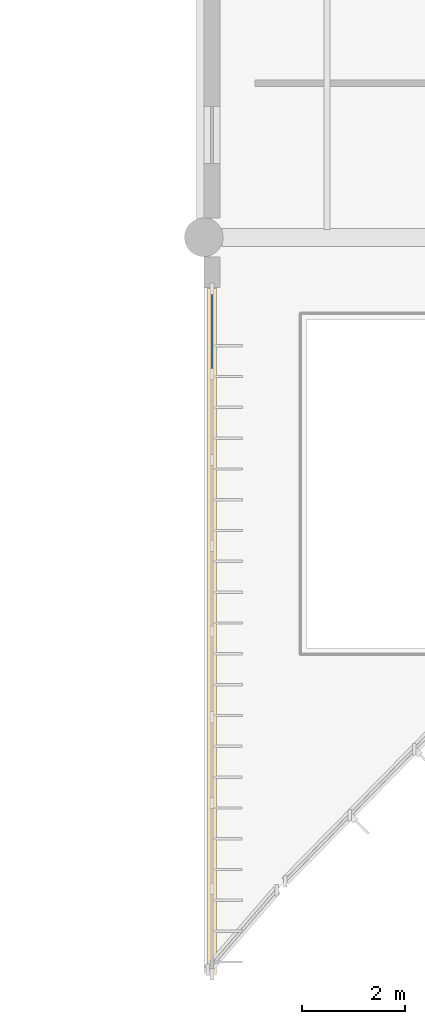
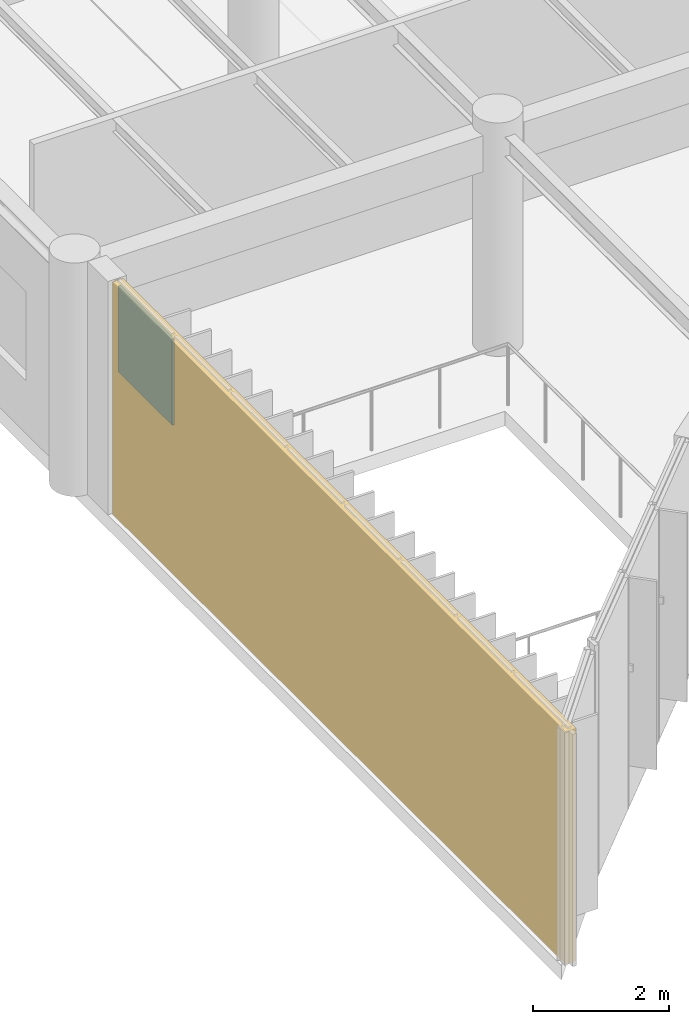
# One storey, part 62 of 122: 1 plate, plus 1 element that does not belong to this part.
"""IFC4 building model written with IfcOpenShell, lengths in metres."""

from ifc_helpers import new_model, si_unit, direction, frame, frame_2d, origin, origin_2d, place, context, subcontext, project, spatial, rectangle, extrude, material, layer, layer_set, type_object, element, aggregate, save


model = new_model("IFC4")

# Units and contexts
model_context = context("Model", 3, precision=1e-05, world=origin(), true_north=direction((0.0, 1.0)))
body_context = subcontext(model_context, "Body", "Model", "MODEL_VIEW")
ifc_project = project(units=[si_unit("LENGTHUNIT", "METRE"), si_unit("AREAUNIT", "SQUARE_METRE"), si_unit("VOLUMEUNIT", "CUBIC_METRE"), si_unit("PLANEANGLEUNIT", "RADIAN"), si_unit("MASSUNIT", "GRAM", prefix="KILO")], contexts=[model_context])

# Plate
ifc_material_1 = material(Name="Double Low-E Acoustic Laminated Glass", Category="glass")
ifc_layer = layer(ifc_material_1, 0.0439453125, Name="Double Low-E Acoustic Laminated Glass")
ifc_layer_set = layer_set([ifc_layer], Name="Double Low-E Acoustic Laminated Glass")
plate_type = type_object("IfcPlateType", Name="Acoustic Laminated Low-E Glazing Unit 44", PredefinedType="CURTAIN_PANEL", material=ifc_layer_set)
site_placement = place(None, origin())
building_placement = place(site_placement, origin())
storey_placement = place(building_placement, frame((0.0, 0.0, 4.800048828125)))
plate_placement = place(storey_placement, frame((36.159912109375, 13.965576171875, 2.5634765625), z_axis=(0.0, 0.0, 1.0), x_axis=(0.0, 1.0, 0.0)))
plate = element("IfcPlate", 1, at=plate_placement, type_object=plate_type, Name="Curtain Panel CWP-01 CW-V5-RET-W-L01-P08.3", PredefinedType="CURTAIN_PANEL", context=body_context, shape_type="SweptSolid", body=[
    extrude(rectangle(XDim=1.5986328125, YDim=0.0439453125, at=origin_2d()), origin(), (0.0, 0.0, 1.0), 1.54638671875),
])

# Site, building, storey
site = spatial("IfcSite", under=ifc_project, at=site_placement, CompositionType="ELEMENT")
building = spatial("IfcBuilding", under=site, at=building_placement, Name="Tazoul Stagehouse", CompositionType="ELEMENT")
storey = spatial("IfcBuildingStorey", under=building, at=storey_placement, Name="L01", CompositionType="ELEMENT", Elevation=4.800048828125)

# Curtain wall
ifc_material_2 = material(Name="Anodised Bronze Aluminium 6063-T6", Category="aluminium")
curtain_wall_type = type_object("IfcCurtainWallType", Name="Crescent Double-Skin Acoustic Curtain Wall", PredefinedType="NOTDEFINED", material=ifc_material_2)
curtain_wall_placement = place(storey_placement, frame((36.159912109375, 1.449951171875, 0.0), z_axis=(0.0, 0.0, 1.0), x_axis=(0.0, 1.0, 0.0)))
curtain_wall = element("IfcCurtainWall", 2, at=curtain_wall_placement, inside=storey, type_object=curtain_wall_type, Name="L01 Curtain Wall CW-01 (CW-V5-RET-W-L01)", PredefinedType="NOTDEFINED", context=body_context, shape_type="SweptSolid", body=[
    extrude(rectangle(XDim=13.35009765625, YDim=0.179931640625, at=frame_2d((6.675048828125, 0.0))), origin(), (0.0, 0.0, 1.0), 4.179931640625),
])

aggregate(curtain_wall, [plate])

save(model, "model.ifc")
